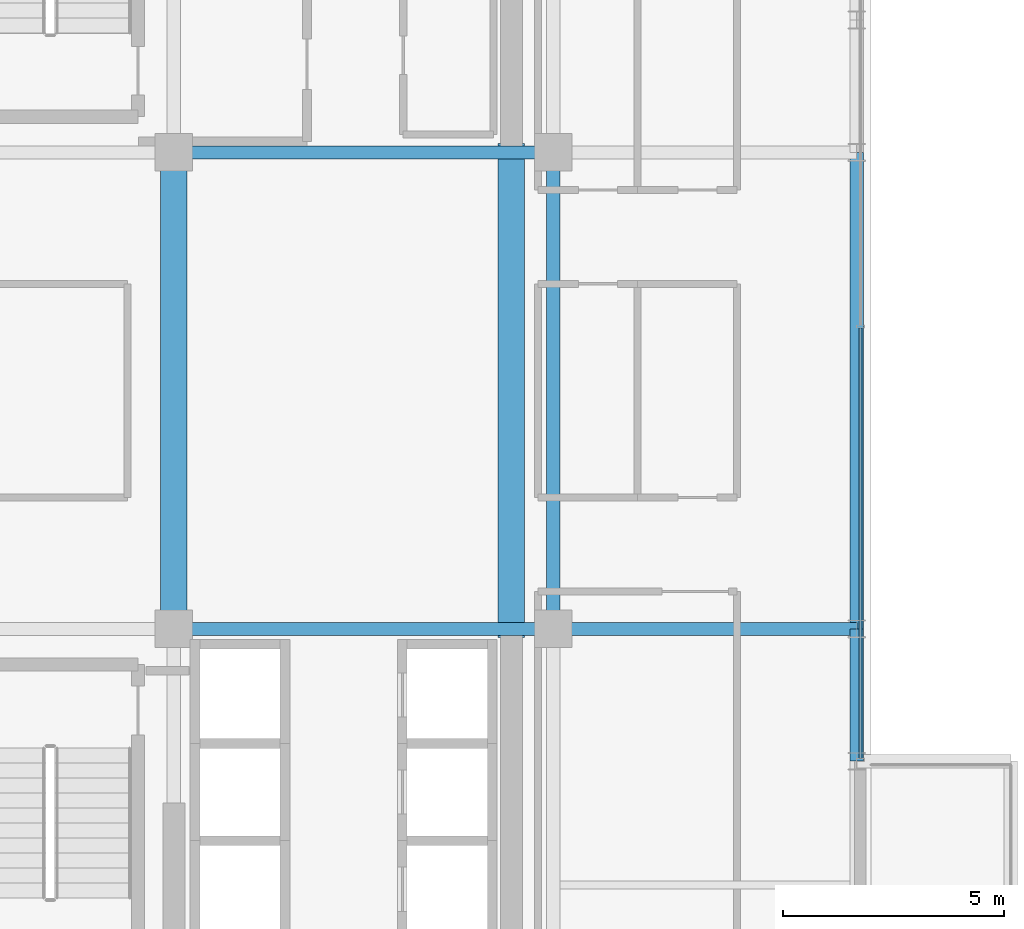
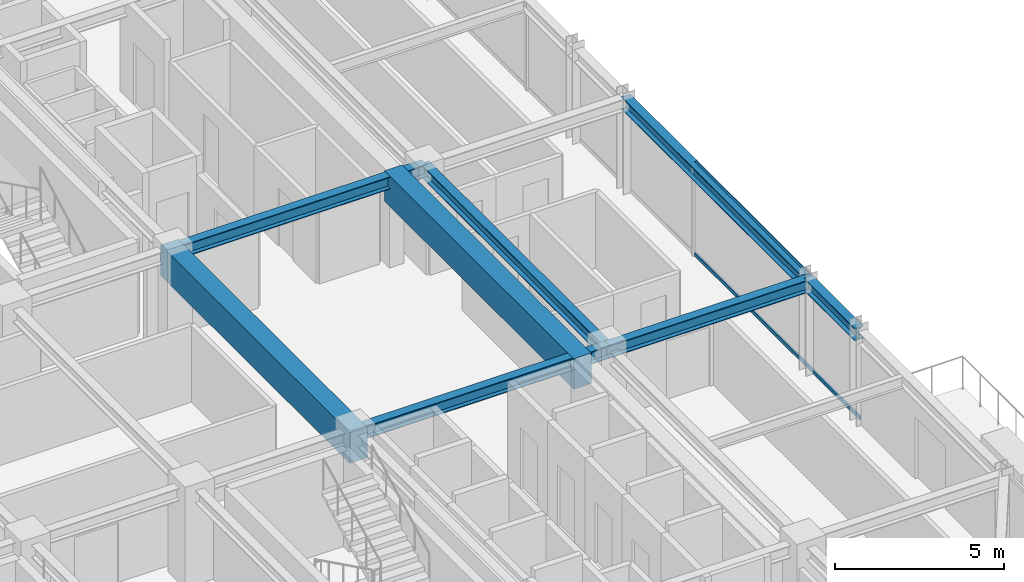
# One storey, part 16 of 36: 8 beams, 2 members, 1 element without a shape of its own.
"""IFC4 building model written with IfcOpenShell, lengths in metres."""

from ifc_helpers import new_model, si_unit, direction, frame, origin, origin_2d, place, context, subcontext, project, spatial, rectangle, hollow_rectangle, i_section, extrude, source, transform, mapped, material, material_profile, profile_set, type_object, element, aggregate, save


model = new_model("IFC4")

# Units and contexts
model_context = context("Model", 3, precision=1e-05, world=origin(), true_north=direction((0.0, 1.0)))
body_context = subcontext(model_context, "Body", "Model", "MODEL_VIEW")
ifc_project = project(units=[si_unit("LENGTHUNIT", "METRE"), si_unit("AREAUNIT", "SQUARE_METRE"), si_unit("VOLUMEUNIT", "CUBIC_METRE"), si_unit("PLANEANGLEUNIT", "RADIAN"), si_unit("MASSUNIT", "GRAM", prefix="KILO")], contexts=[model_context])

# Site, building, storey
site_placement = place(None, origin())
site = spatial("IfcSite", under=ifc_project, at=site_placement, CompositionType="ELEMENT")
building_placement = place(site_placement, origin())
building = spatial("IfcBuilding", under=site, at=building_placement, Name="Nahalor Promenade Grand Hotel", CompositionType="ELEMENT")
storey_placement = place(building_placement, frame((0.0, 0.0, 234.5)))
storey = spatial("IfcBuildingStorey", under=building, at=storey_placement, Name="L60", CompositionType="ELEMENT", Elevation=234.5)

# Beams
ifc_material_1 = material(Name="Concrete B-60 (C50/60)", Category="concrete")
ifc_material_profile_1 = material_profile(ifc_material_1, rectangle(XDim=0.6, YDim=1.1, at=origin_2d()), Name="RC 600x1100")
ifc_profile_set_1 = profile_set([ifc_material_profile_1], Name="Concrete B-60 (C50/60)")
beam_type_1 = type_object("IfcBeamType", Name="Beam-Lintel-RC1100", PredefinedType="LINTEL", material=ifc_profile_set_1)
shared_shape_1 = source(origin(), body_context, "Body", "SweptSolid", [
    extrude(rectangle(XDim=0.6, YDim=1.1, at=origin_2d()), origin(), (0.0, 0.0, 1.0), 11.2001953125),
])
for number, where, z_axis, x_axis, name in (
    (1, (8.39990234375, -5.60009765625, 2.860107421875), (0.0, 1.0, 0.0), (-1.0, 0.0, 0.0), "BM-L60-LINT-W"),
    (2, (16.050048828125, -5.60009765625, 2.860107421875), (0.0, 1.0, 0.0), (-1.0, 0.0, 0.0), "BM-L60-LINT-E"),
):
    element("IfcBeam", number, at=place(storey_placement, frame(where, z_axis=z_axis, x_axis=x_axis)), inside=storey, type_object=beam_type_1, Name=name, PredefinedType="LINTEL", context=body_context, shape_type="MappedRepresentation", body=[
        mapped(shared_shape_1, transform((0.0, 0.0, 0.0), scale=1.0)),
    ])
ifc_material_2 = material(Name="Steel S355JR", Category="steel")
ifc_material_profile_2 = material_profile(ifc_material_2, i_section(OverallWidth=0.3, OverallDepth=0.45, WebThickness=0.014, FlangeThickness=0.026, at=origin_2d()), Name="HEB 450")
ifc_profile_set_2 = profile_set([ifc_material_profile_2], Name="Steel S355JR")
beam_type_2 = type_object("IfcBeamType", Name="Beam-Spandrel-HEB450", PredefinedType="SPANDREL", material=ifc_profile_set_2)
shared_shape_2 = source(origin(), body_context, "Body", "SweptSolid", [
    extrude(i_section(OverallWidth=0.3, OverallDepth=0.45, WebThickness=0.014, FlangeThickness=0.026, at=origin_2d()), origin(), (0.0, 0.0, 1.0), 3.0),
])
beam_1_placement = place(storey_placement, frame((23.8798828125, -8.39990234375, 3.18505859375), z_axis=(0.0, 1.0, 0.0), x_axis=(-1.0, 0.0, 0.0)))
element("IfcBeam", 3, at=beam_1_placement, inside=storey, type_object=beam_type_2, Name="BM-L60-SP-E-1", PredefinedType="SPANDREL", context=body_context, shape_type="MappedRepresentation", body=[
    mapped(shared_shape_2, transform((0.0, 0.0, 0.0), scale=1.0)),
])
shared_shape_3 = source(origin(), body_context, "Body", "SweptSolid", [
    extrude(i_section(OverallWidth=0.3, OverallDepth=0.45, WebThickness=0.014, FlangeThickness=0.026, at=origin_2d()), origin(), (0.0, 0.0, 1.0), 10.7998046875),
])
beam_2_placement = place(storey_placement, frame((23.8798828125, -5.39990234375, 3.18505859375), z_axis=(0.0, 1.0, 0.0), x_axis=(-1.0, 0.0, 0.0)))
element("IfcBeam", 4, at=beam_2_placement, inside=storey, type_object=beam_type_2, Name="BM-L60-SP-E-2", PredefinedType="SPANDREL", context=body_context, shape_type="MappedRepresentation", body=[
    mapped(shared_shape_3, transform((0.0, 0.0, 0.0), scale=1.0)),
])
ifc_material_profile_3 = material_profile(ifc_material_2, i_section(OverallWidth=0.3, OverallDepth=0.45, WebThickness=0.014, FlangeThickness=0.026, at=origin_2d()), Name="HEB 450")
ifc_profile_set_3 = profile_set([ifc_material_profile_3], Name="Steel S355JR")
beam_type_3 = type_object("IfcBeamType", Name="Beam-Girder-HEB450", PredefinedType="BEAM", material=ifc_profile_set_3)
shared_shape_4 = source(origin(), body_context, "Body", "SweptSolid", [
    extrude(i_section(OverallWidth=0.3, OverallDepth=0.45, WebThickness=0.014, FlangeThickness=0.026, at=origin_2d()), origin(), (0.0, 0.0, 1.0), 6.8798828125),
])
beam_3_placement = place(storey_placement, frame((17.0, -5.39990234375, 3.18505859375), z_axis=(1.0, 0.0, 0.0), x_axis=(0.0, 1.0, 0.0)))
element("IfcBeam", 5, at=beam_3_placement, inside=storey, type_object=beam_type_3, Name="BM-L60-GX-1-6", PredefinedType="BEAM", context=body_context, shape_type="MappedRepresentation", body=[
    mapped(shared_shape_4, transform((0.0, 0.0, 0.0), scale=1.0)),
])
shared_shape_5 = source(origin(), body_context, "Body", "SweptSolid", [
    extrude(i_section(OverallWidth=0.3, OverallDepth=0.45, WebThickness=0.014, FlangeThickness=0.026, at=origin_2d()), origin(), (0.0, 0.0, 1.0), 8.60009765625),
])
for number, where, z_axis, x_axis, name in (
    (6, (8.39990234375, -5.39990234375, 3.18505859375), (1.0, 0.0, 0.0), (0.0, 1.0, 0.0), "BM-L60-GX-1-5"),
    (7, (8.39990234375, 5.39990234375, 3.18505859375), (1.0, 0.0, 0.0), (0.0, 1.0, 0.0), "BM-L60-GX-2-5"),
):
    element("IfcBeam", number, at=place(storey_placement, frame(where, z_axis=z_axis, x_axis=x_axis)), inside=storey, type_object=beam_type_3, Name=name, PredefinedType="BEAM", context=body_context, shape_type="MappedRepresentation", body=[
        mapped(shared_shape_5, transform((0.0, 0.0, 0.0), scale=1.0)),
    ])
shared_shape_6 = source(origin(), body_context, "Body", "SweptSolid", [
    extrude(i_section(OverallWidth=0.3, OverallDepth=0.45, WebThickness=0.014, FlangeThickness=0.026, at=origin_2d()), origin(), (0.0, 0.0, 1.0), 10.7998046875),
])
beam_4_placement = place(storey_placement, frame((17.0, -5.39990234375, 3.18505859375), z_axis=(0.0, 1.0, 0.0), x_axis=(-1.0, 0.0, 0.0)))
element("IfcBeam", 8, at=beam_4_placement, inside=storey, type_object=beam_type_3, Name="BM-L60-GY-5-2", PredefinedType="BEAM", context=body_context, shape_type="MappedRepresentation", body=[
    mapped(shared_shape_6, transform((0.0, 0.0, 0.0), scale=1.0)),
])

# Curtain wall, members
ifc_material_3 = material(Name="Anodised Bronze Aluminium EN AW-6063 T6", Category="aluminium")
curtain_wall_type = type_object("IfcCurtainWallType", Name="CW2 Typical Hotel Flush Bronze Unitised Curtain Wall", PredefinedType="USERDEFINED", material=ifc_material_3)
curtain_wall_placement = place(storey_placement, origin())
curtain_wall = element("IfcCurtainWall", 9, at=curtain_wall_placement, inside=storey, type_object=curtain_wall_type, Name="L60 Curtain Wall CW-L60-E-3", ObjectType="UNITISED_CURTAIN_WALL", PredefinedType="USERDEFINED")
ifc_material_profile_4 = material_profile(ifc_material_3, hollow_rectangle(XDim=0.065, YDim=0.13, WallThickness=0.004, at=origin_2d()), Name="CWT 65x130x4")
ifc_profile_set_4 = profile_set([ifc_material_profile_4], Name="Anodised Bronze Aluminium EN AW-6063 T6")
member_type = type_object("IfcMemberType", Name="CWT2 Typical Bronze Transom 65x130", PredefinedType="USERDEFINED", material=ifc_profile_set_4)
shared_shape_7 = source(origin(), body_context, "Body", "SweptSolid", [
    extrude(hollow_rectangle(XDim=0.065, YDim=0.13, WallThickness=0.004, at=origin_2d()), origin(), (0.0, 0.0, 1.0), 9.755859375),
])
member_1_placement = place(storey_placement, frame((23.9599609375, -8.3349609375, 0.06494140625), z_axis=(0.0, 1.0, 0.0), x_axis=(-1.0, 0.0, 0.0)))
member_1 = element("IfcMember", 10, at=member_1_placement, type_object=member_type, Name="CW-L60-E-3 Transom 0-0", ObjectType="TRANSOM", PredefinedType="USERDEFINED", context=body_context, shape_type="MappedRepresentation", body=[
    mapped(shared_shape_7, transform((0.0, 0.0, 0.0), scale=1.0)),
])
member_2_placement = place(storey_placement, frame((23.9599609375, -8.3349609375, 3.344970703125), z_axis=(0.0, 1.0, 0.0), x_axis=(-1.0, 0.0, 0.0)))
member_2 = element("IfcMember", 11, at=member_2_placement, type_object=member_type, Name="CW-L60-E-3 Transom 0-1", ObjectType="TRANSOM", PredefinedType="USERDEFINED", context=body_context, shape_type="MappedRepresentation", body=[
    mapped(shared_shape_7, transform((0.0, 0.0, 0.0), scale=1.0)),
])
aggregate(curtain_wall, [member_1, member_2])

save(model, "model.ifc")
